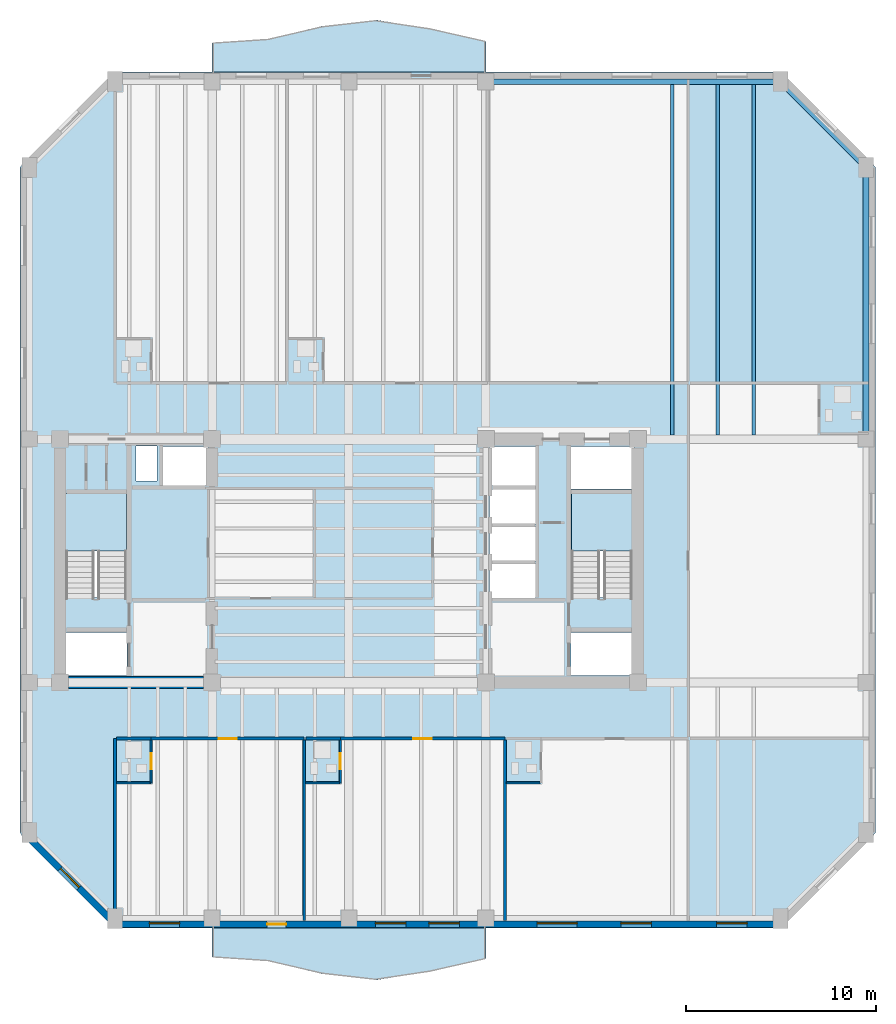
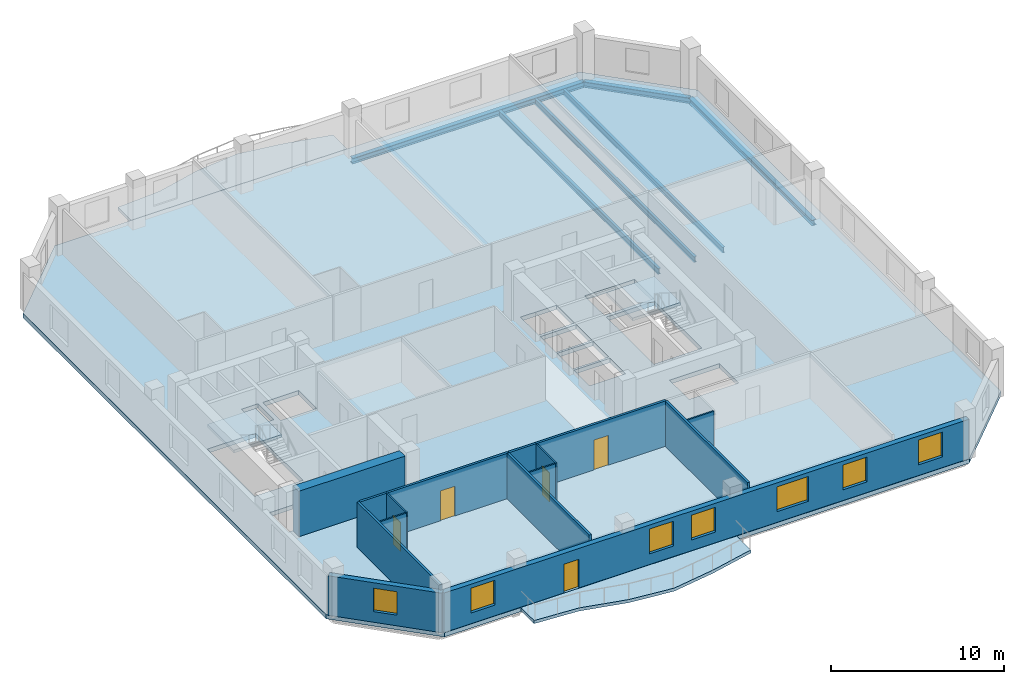
# One storey, part 2 of 9: 15 walls, 7 windows, 6 beams, 5 doors, 5 slabs, 12 openings, 2 elements without a shape of their own.
"""IFC4 building model written with IfcOpenShell, lengths in metres."""

from ifc_helpers import new_model, si_unit, direction, frame, frame_2d, origin, origin_2d, place, context, subcontext, project, spatial, polyline, rectangle, i_section, outline, extrude, material, layer, layer_set, material_profile, profile_set, type_object, element, fill, aggregate, save


model = new_model("IFC4")

# Units and contexts
model_context = context("Model", 3, precision=1e-05, world=origin(), true_north=direction((0.0, 1.0)))
body_context = subcontext(model_context, "Body", "Model", "MODEL_VIEW")
ifc_project = project(units=[si_unit("LENGTHUNIT", "METRE"), si_unit("AREAUNIT", "SQUARE_METRE"), si_unit("VOLUMEUNIT", "CUBIC_METRE"), si_unit("PLANEANGLEUNIT", "RADIAN"), si_unit("MASSUNIT", "GRAM", prefix="KILO")], contexts=[model_context])

# Site, building, storey
site_placement = place(None, origin())
site = spatial("IfcSite", under=ifc_project, at=site_placement, CompositionType="ELEMENT")
building_placement = place(site_placement, origin())
building = spatial("IfcBuilding", under=site, at=building_placement, Name="Kranthara Brick Stack", CompositionType="ELEMENT")
storey_placement = place(building_placement, frame((0.0, 0.0, 165.800048828125)))
storey = spatial("IfcBuildingStorey", under=building, at=storey_placement, Name="L42", CompositionType="ELEMENT", Elevation=165.800048828125)

# Beams
ifc_material_1 = material(Name="Steel S355", Category="steel")
ifc_material_profile_1 = material_profile(ifc_material_1, i_section(OverallWidth=0.179931640625, OverallDepth=0.39990234375, WebThickness=0.008544921875, FlangeThickness=0.013427734375, at=origin_2d()), Name="IPE 400")
ifc_profile_set_1 = profile_set([ifc_material_profile_1], Name="Steel S355")
beam_type_1 = type_object("IfcBeamType", Name="BM-JST-IPE400", PredefinedType="JOIST", material=ifc_profile_set_1)
for number, where, z_axis, x_axis, name in (
    (1, (45.0, 33.824951171875, -0.5), (0.0, 1.0, 0.0), (-1.0, 0.0, 0.0), "L42 North Wing Floor Joist 071"),
    (2, (47.39990234375, 33.824951171875, -0.5), (0.0, 1.0, 0.0), (-1.0, 0.0, 0.0), "L42 North Wing Floor Joist 073"),
    (3, (49.300048828125, 33.824951171875, -0.5), (0.0, 1.0, 0.0), (-1.0, 0.0, 0.0), "L42 North Wing Floor Joist 075"),
):
    element("IfcBeam", number, at=place(storey_placement, frame(where, z_axis=z_axis, x_axis=x_axis)), inside=storey, type_object=beam_type_1, Name=name, PredefinedType="JOIST", context=body_context, shape_type="SweptSolid", body=[
        extrude(i_section(OverallWidth=0.179931640625, OverallDepth=0.39990234375, WebThickness=0.008544921875, FlangeThickness=0.013427734375, at=origin_2d()), origin(), (0.0, 0.0, 1.0), 18.425048828125),
    ])
ifc_material_2 = material(Name="Steel S355", Category="steel")
ifc_material_profile_2 = material_profile(ifc_material_2, i_section(OverallWidth=0.300048828125, OverallDepth=0.39990234375, WebThickness=0.013427734375, FlangeThickness=0.02392578125, at=origin_2d()), Name="HEB 400")
ifc_profile_set_2 = profile_set([ifc_material_profile_2], Name="Steel S355")
beam_type_2 = type_object("IfcBeamType", Name="BM-STL-HEB400", PredefinedType="SPANDREL", material=ifc_profile_set_2)
beam_1_placement = place(storey_placement, frame((35.199951171875, 52.39990234375, -0.5), z_axis=(1.0, 0.0, 0.0), x_axis=(0.0, 1.0, 0.0)))
element("IfcBeam", 4, at=beam_1_placement, inside=storey, type_object=beam_type_2, Name="L42 Perimeter Spandrel Beam 012", PredefinedType="SPANDREL", context=body_context, shape_type="SweptSolid", body=[
    extrude(i_section(OverallWidth=0.300048828125, OverallDepth=0.39990234375, WebThickness=0.013427734375, FlangeThickness=0.02392578125, at=origin_2d()), origin(), (0.0, 0.0, 1.0), 15.5),
])
beam_2_placement = place(storey_placement, frame((55.199951171875, 33.60009765625, -0.5), z_axis=(0.0, 1.0, 0.0), x_axis=(-1.0, 0.0, 0.0)))
element("IfcBeam", 5, at=beam_2_placement, inside=storey, type_object=beam_type_2, Name="L42 Perimeter Spandrel Beam 018", PredefinedType="SPANDREL", context=body_context, shape_type="SweptSolid", body=[
    extrude(i_section(OverallWidth=0.300048828125, OverallDepth=0.39990234375, WebThickness=0.013427734375, FlangeThickness=0.02392578125, at=origin_2d()), origin(), (0.0, 0.0, 1.0), 14.2998046875),
])
beam_3_placement = place(storey_placement, frame((50.699951171875, 52.39990234375, -0.5), z_axis=(0.707106781187, -0.707106781187, 0.0), x_axis=(0.707106781187, 0.707106781187, 0.0)))
element("IfcBeam", 6, at=beam_3_placement, inside=storey, type_object=beam_type_2, Name="L42 Chamfer Corner Spandrel 022", PredefinedType="SPANDREL", context=body_context, shape_type="SweptSolid", body=[
    extrude(i_section(OverallWidth=0.300048828125, OverallDepth=0.39990234375, WebThickness=0.013427734375, FlangeThickness=0.02392578125, at=origin_2d()), origin(), (0.0, 0.0, 1.0), 6.364013671875),
])

# Slabs
ifc_material_3 = material(Name="Concrete C45/55", Category="concrete")
ifc_layer_1 = layer(ifc_material_3, 0.219970703125)
ifc_layer_set_1 = layer_set([ifc_layer_1], Name="Concrete C45/55")
slab_type_1 = type_object("IfcSlabType", Name="SLB-BALC-220", PredefinedType="FLOOR", material=ifc_layer_set_1)
slab_1_placement = place(storey_placement, frame((0.0, 0.0, -0.219970703125)))
element("IfcSlab", 7, at=slab_1_placement, inside=storey, type_object=slab_type_1, Name="L42 South Rippling Balcony Slab", PredefinedType="FLOOR", context=body_context, shape_type="SweptSolid", body=[
    extrude(outline(polyline([(20.800048828125, 7.89990234375), (35.199951171875, 7.89990234375), (35.199951171875, 6.2744140625), (32.320068359375, 5.611572265625), (29.43994140625, 5.154296875), (26.56005859375, 5.4775390625), (23.679931640625, 6.175048828125), (20.800048828125, 6.369384765625), (20.800048828125, 7.89990234375)])), origin(), (0.0, 0.0, 1.0), 0.219970703125),
])
slab_2_placement = place(storey_placement, frame((0.0, 0.0, -0.219970703125)))
element("IfcSlab", 8, at=slab_2_placement, inside=storey, type_object=slab_type_1, Name="L42 North Rippling Balcony Slab", PredefinedType="FLOOR", context=body_context, shape_type="SweptSolid", body=[
    extrude(outline(polyline([(35.199951171875, 52.89990234375), (20.800048828125, 52.89990234375), (20.800048828125, 54.4306640625), (23.679931640625, 54.625), (26.56005859375, 55.322509765625), (29.43994140625, 55.645751953125), (32.320068359375, 55.1884765625), (35.199951171875, 54.525390625), (35.199951171875, 52.89990234375)])), origin(), (0.0, 0.0, 1.0), 0.219970703125),
])

# Stair, slab
ifc_material_4 = material(Name="Concrete C45/55", Category="concrete")
stair_type = type_object("IfcStairType", Name="ST-CORE-20R", PredefinedType="HALF_TURN_STAIR", material=ifc_material_4)
stair_1_placement = place(storey_placement, origin())
stair_1 = element("IfcStair", 9, at=stair_1_placement, inside=storey, type_object=stair_type, Name="L42 West Core Protected Exit Stair ST01", PredefinedType="HALF_TURN_STAIR")
ifc_material_5 = material(Name="Concrete C45/55", Category="concrete")
ifc_layer_2 = layer(ifc_material_5, 0.199951171875)
ifc_layer_set_2 = layer_set([ifc_layer_2], Name="Concrete C45/55")
slab_type_2 = type_object("IfcSlabType", Name="SLB-LANDING-200", PredefinedType="LANDING", material=ifc_layer_set_2)
slab_3_placement = place(storey_placement, frame((0.0, 0.0, 1.550048828125)))
slab_3 = element("IfcSlab", 10, at=slab_3_placement, type_object=slab_type_2, Name="ST01 landing 1", PredefinedType="LANDING", context=body_context, shape_type="SweptSolid", body=[
    extrude(outline(polyline([(16.300048828125, 27.719970703125), (16.300048828125, 30.75), (13.10009765625, 30.75), (13.10009765625, 27.719970703125), (16.300048828125, 27.719970703125)])), origin(), (0.0, 0.0, 1.0), 0.199951171875),
])
aggregate(stair_1, [slab_3])

stair_2_placement = place(storey_placement, origin())
stair_2 = element("IfcStair", 11, at=stair_2_placement, inside=storey, type_object=stair_type, Name="L42 East Core Protected Exit Stair ST02", PredefinedType="HALF_TURN_STAIR")
slab_4_placement = place(storey_placement, frame((0.0, 0.0, 1.550048828125)))
slab_4 = element("IfcSlab", 12, at=slab_4_placement, type_object=slab_type_2, Name="ST02 landing 1", PredefinedType="LANDING", context=body_context, shape_type="SweptSolid", body=[
    extrude(outline(polyline([(42.89990234375, 27.719970703125), (42.89990234375, 30.75), (39.699951171875, 30.75), (39.699951171875, 27.719970703125), (42.89990234375, 27.719970703125)])), origin(), (0.0, 0.0, 1.0), 0.199951171875),
])
aggregate(stair_2, [slab_4])

# Slab
ifc_material_6 = material(Name="Post-tensioned concrete C45/55", Category="concrete")
ifc_layer_3 = layer(ifc_material_6, 0.300048828125)
ifc_layer_set_3 = layer_set([ifc_layer_3], Name="Post-tensioned concrete C45/55")
slab_type_3 = type_object("IfcSlabType", Name="SLB-TWR-300", PredefinedType="FLOOR", material=ifc_layer_set_3)
slab_5_placement = place(storey_placement, frame((0.0, 0.0, -0.300048828125)))
element("IfcSlab", 13, at=slab_5_placement, inside=storey, type_object=slab_type_3, Name="L42 Structural Floor Plate", PredefinedType="FLOOR", context=body_context, shape_type="SweptSolid", body=[
    extrude(outline(polyline([(15.699951171875, 7.89990234375), (50.699951171875, 7.89990234375), (55.699951171875, 12.89990234375), (55.699951171875, 47.89990234375), (50.699951171875, 52.89990234375), (15.699951171875, 52.89990234375), (10.699951171875, 47.89990234375), (10.699951171875, 12.89990234375), (15.699951171875, 7.89990234375)]), holes=[polyline([(13.10009765625, 25.280029296875), (16.300048828125, 25.280029296875), (16.300048828125, 30.75), (13.10009765625, 30.75), (13.10009765625, 25.280029296875)]), polyline([(39.699951171875, 25.280029296875), (42.89990234375, 25.280029296875), (42.89990234375, 30.75), (39.699951171875, 30.75), (39.699951171875, 25.280029296875)]), polyline([(13.0, 21.179931640625), (16.320068359375, 21.179931640625), (16.320068359375, 23.419921875), (13.0, 23.419921875), (13.0, 21.179931640625)]), polyline([(39.679931640625, 21.179931640625), (43.0, 21.179931640625), (43.0, 23.419921875), (39.679931640625, 23.419921875), (39.679931640625, 21.179931640625)]), polyline([(39.679931640625, 30.97998046875), (43.0, 30.97998046875), (43.0, 33.219970703125), (39.679931640625, 33.219970703125), (39.679931640625, 30.97998046875)]), polyline([(35.39990234375, 25.25), (37.800048828125, 25.25), (37.800048828125, 27.050048828125), (35.39990234375, 27.050048828125), (35.39990234375, 25.25)]), polyline([(35.39990234375, 27.199951171875), (37.800048828125, 27.199951171875), (37.800048828125, 29.0), (35.39990234375, 29.0), (35.39990234375, 27.199951171875)]), polyline([(35.39990234375, 29.14990234375), (37.800048828125, 29.14990234375), (37.800048828125, 30.949951171875), (35.39990234375, 30.949951171875), (35.39990234375, 29.14990234375)]), polyline([(18.199951171875, 31.14990234375), (20.60009765625, 31.14990234375), (20.60009765625, 33.219970703125), (18.199951171875, 33.219970703125), (18.199951171875, 31.14990234375)]), polyline([(35.39990234375, 31.14990234375), (37.800048828125, 31.14990234375), (37.800048828125, 33.219970703125), (35.39990234375, 33.219970703125), (35.39990234375, 31.14990234375)]), polyline([(16.800048828125, 31.39990234375), (17.89990234375, 31.39990234375), (17.89990234375, 33.25), (16.800048828125, 33.25), (16.800048828125, 31.39990234375)])]), origin(), (0.0, 0.0, 1.0), 0.300048828125),
])

# Wall, openings, door, windows
ifc_material_7 = material(Name="Kiln-fired clay brick masonry M15", Category="masonry")
ifc_layer_4 = layer(ifc_material_7, 0.35009765625)
ifc_layer_set_4 = layer_set([ifc_layer_4], Name="Kiln-fired clay brick masonry M15")
wall_type_1 = type_object("IfcWallType", Name="WL-BRK-SPND-350", PredefinedType="STANDARD", material=ifc_layer_set_4)
wall_1_placement = place(storey_placement, frame((50.699951171875, 8.094970703125, 0.0), z_axis=(0.0, 0.0, 1.0), x_axis=(-1.0, 0.0, 0.0)))
wall_1 = element("IfcWall", 14, at=wall_1_placement, inside=storey, type_object=wall_type_1, Name="L42 Exterior Brick Facade Wall SOUTH 1", PredefinedType="STANDARD", context=body_context, shape_type="SweptSolid", body=[
    extrude(rectangle(XDim=35.0, YDim=0.35009765625, at=frame_2d((17.5, 0.0))), origin(), (0.0, 0.0, 1.0), 2.784912109375),
])
opening_1_placement = place(wall_1_placement, frame((26.0, 0.0, 0.0)))
opening_1 = element("IfcOpeningElement", 15, at=opening_1_placement, cuts=wall_1, Name="Opening D03", PredefinedType="OPENING", context=body_context, shape_type="SweptSolid", body=[
    extrude(rectangle(XDim=1.0, YDim=2.02001953125, at=frame_2d((0.5, 1.010009765625))), frame((0.0, 0.18505859375, 0.0), z_axis=(0.0, -1.0, 0.0), x_axis=(1.0, 0.0, 0.0)), (0.0, 0.0, 1.0), 0.3701171875),
])
opening_2_placement = place(wall_1_placement, frame((1.762939453125, 0.0, 0.75)))
opening_2 = element("IfcOpeningElement", 16, at=opening_2_placement, cuts=wall_1, Name="Opening WN04", PredefinedType="OPENING", context=body_context, shape_type="SweptSolid", body=[
    extrude(rectangle(XDim=1.60009765625, YDim=1.75, at=frame_2d((0.800048828125, 0.875))), frame((0.0, 0.18505859375, 0.0), z_axis=(0.0, -1.0, 0.0), x_axis=(1.0, 0.0, 0.0)), (0.0, 0.0, 1.0), 0.3701171875),
])
opening_3_placement = place(wall_1_placement, frame((6.798095703125, 0.0, 0.75)))
opening_3 = element("IfcOpeningElement", 17, at=opening_3_placement, cuts=wall_1, Name="Opening WN04", PredefinedType="OPENING", context=body_context, shape_type="SweptSolid", body=[
    extrude(rectangle(XDim=1.60009765625, YDim=1.75, at=frame_2d((0.800048828125, 0.875))), frame((0.0, 0.18505859375, 0.0), z_axis=(0.0, -1.0, 0.0), x_axis=(1.0, 0.0, 0.0)), (0.0, 0.0, 1.0), 0.3701171875),
])
opening_4_placement = place(wall_1_placement, frame((10.699951171875, 0.0, 0.75)))
opening_4 = element("IfcOpeningElement", 18, at=opening_4_placement, cuts=wall_1, Name="Opening WN05", PredefinedType="OPENING", context=body_context, shape_type="SweptSolid", body=[
    extrude(rectangle(XDim=2.10009765625, YDim=1.75, at=frame_2d((1.050048828125, 0.875))), frame((0.0, 0.18505859375, 0.0), z_axis=(0.0, -1.0, 0.0), x_axis=(1.0, 0.0, 0.0)), (0.0, 0.0, 1.0), 0.3701171875),
])
opening_5_placement = place(wall_1_placement, frame((16.89599609375, 0.0, 0.75)))
opening_5 = element("IfcOpeningElement", 19, at=opening_5_placement, cuts=wall_1, Name="Opening WN04", PredefinedType="OPENING", context=body_context, shape_type="SweptSolid", body=[
    extrude(rectangle(XDim=1.60009765625, YDim=1.75, at=frame_2d((0.800048828125, 0.875))), frame((0.0, 0.18505859375, 0.0), z_axis=(0.0, -1.0, 0.0), x_axis=(1.0, 0.0, 0.0)), (0.0, 0.0, 1.0), 0.3701171875),
])
opening_6_placement = place(wall_1_placement, frame((19.7041015625, 0.0, 0.75)))
opening_6 = element("IfcOpeningElement", 20, at=opening_6_placement, cuts=wall_1, Name="Opening WN04", PredefinedType="OPENING", context=body_context, shape_type="SweptSolid", body=[
    extrude(rectangle(XDim=1.60009765625, YDim=1.75, at=frame_2d((0.800048828125, 0.875))), frame((0.0, 0.18505859375, 0.0), z_axis=(0.0, -1.0, 0.0), x_axis=(1.0, 0.0, 0.0)), (0.0, 0.0, 1.0), 0.3701171875),
])
opening_7_placement = place(wall_1_placement, frame((31.60009765625, 0.0, 0.75)))
opening_7 = element("IfcOpeningElement", 21, at=opening_7_placement, cuts=wall_1, Name="Opening WN04", PredefinedType="OPENING", context=body_context, shape_type="SweptSolid", body=[
    extrude(rectangle(XDim=1.60009765625, YDim=1.75, at=frame_2d((0.800048828125, 0.875))), frame((0.0, 0.18505859375, 0.0), z_axis=(0.0, -1.0, 0.0), x_axis=(1.0, 0.0, 0.0)), (0.0, 0.0, 1.0), 0.3701171875),
])
ifc_material_8 = material(Name="Bronze anodised aluminium and laminated glass", Category="aluminium")
door_type_1 = type_object("IfcDoorType", Name="DR-BALC-1000", OperationType="NOTDEFINED", PredefinedType="DOOR", material=ifc_material_8)
door_1_placement = place(opening_1_placement, origin())
door_1 = element("IfcDoor", 22, at=door_1_placement, inside=storey, type_object=door_type_1, Name="L42 South Balcony Terrace Door", OperationType="SINGLE_SWING_LEFT", OverallHeight=2.02001953125, OverallWidth=1.0, PredefinedType="DOOR", context=body_context, shape_type="SweptSolid", body=[
    extrude(rectangle(XDim=1.0, YDim=2.02001953125, at=frame_2d((0.5, 1.010009765625))), frame((0.0, 0.02490234375, 0.0), z_axis=(0.0, -1.0, 0.0), x_axis=(1.0, 0.0, 0.0)), (0.0, 0.0, 1.0), 0.050048828125),
])
fill(opening_1, door_1)
ifc_material_9 = material(Name="Double-glazed low-E solar control glass", Category="glass")
window_type_1 = type_object("IfcWindowType", Name="WN-HTL-1600x1850", PartitioningType="DOUBLE_PANEL_VERTICAL", PredefinedType="WINDOW", material=ifc_material_9)
window_1_placement = place(opening_2_placement, origin())
window_1 = element("IfcWindow", 23, at=window_1_placement, inside=storey, type_object=window_type_1, Name="L42 South Deep-Set Brick Window 01", OverallHeight=1.75, OverallWidth=1.60009765625, PartitioningType="SINGLE_PANEL", PredefinedType="WINDOW", context=body_context, shape_type="SweptSolid", body=[
    extrude(rectangle(XDim=1.60009765625, YDim=1.75, at=frame_2d((0.800048828125, 0.875))), frame((0.0, -0.010009765625, 0.0), z_axis=(0.0, -1.0, 0.0), x_axis=(1.0, 0.0, 0.0)), (0.0, 0.0, 1.0), 0.06005859375),
])
fill(opening_2, window_1)
window_2_placement = place(opening_3_placement, origin())
window_2 = element("IfcWindow", 24, at=window_2_placement, inside=storey, type_object=window_type_1, Name="L42 South Deep-Set Brick Window 02", OverallHeight=1.75, OverallWidth=1.60009765625, PartitioningType="SINGLE_PANEL", PredefinedType="WINDOW", context=body_context, shape_type="SweptSolid", body=[
    extrude(rectangle(XDim=1.60009765625, YDim=1.75, at=frame_2d((0.800048828125, 0.875))), frame((0.0, -0.010009765625, 0.0), z_axis=(0.0, -1.0, 0.0), x_axis=(1.0, 0.0, 0.0)), (0.0, 0.0, 1.0), 0.06005859375),
])
fill(opening_3, window_2)
window_3_placement = place(opening_5_placement, origin())
window_3 = element("IfcWindow", 25, at=window_3_placement, inside=storey, type_object=window_type_1, Name="L42 South Deep-Set Brick Window 04", OverallHeight=1.75, OverallWidth=1.60009765625, PartitioningType="SINGLE_PANEL", PredefinedType="WINDOW", context=body_context, shape_type="SweptSolid", body=[
    extrude(rectangle(XDim=1.60009765625, YDim=1.75, at=frame_2d((0.800048828125, 0.875))), frame((0.0, -0.010009765625, 0.0), z_axis=(0.0, -1.0, 0.0), x_axis=(1.0, 0.0, 0.0)), (0.0, 0.0, 1.0), 0.06005859375),
])
fill(opening_5, window_3)
window_4_placement = place(opening_6_placement, origin())
window_4 = element("IfcWindow", 26, at=window_4_placement, inside=storey, type_object=window_type_1, Name="L42 South Deep-Set Brick Window 05", OverallHeight=1.75, OverallWidth=1.60009765625, PartitioningType="SINGLE_PANEL", PredefinedType="WINDOW", context=body_context, shape_type="SweptSolid", body=[
    extrude(rectangle(XDim=1.60009765625, YDim=1.75, at=frame_2d((0.800048828125, 0.875))), frame((0.0, -0.010009765625, 0.0), z_axis=(0.0, -1.0, 0.0), x_axis=(1.0, 0.0, 0.0)), (0.0, 0.0, 1.0), 0.06005859375),
])
fill(opening_6, window_4)
window_5_placement = place(opening_7_placement, origin())
window_5 = element("IfcWindow", 27, at=window_5_placement, inside=storey, type_object=window_type_1, Name="L42 South Deep-Set Brick Window 06", OverallHeight=1.75, OverallWidth=1.60009765625, PartitioningType="SINGLE_PANEL", PredefinedType="WINDOW", context=body_context, shape_type="SweptSolid", body=[
    extrude(rectangle(XDim=1.60009765625, YDim=1.75, at=frame_2d((0.800048828125, 0.875))), frame((0.0, -0.010009765625, 0.0), z_axis=(0.0, -1.0, 0.0), x_axis=(1.0, 0.0, 0.0)), (0.0, 0.0, 1.0), 0.06005859375),
])
fill(opening_7, window_5)
ifc_material_10 = material(Name="Double-glazed low-E solar control glass", Category="glass")
window_type_2 = type_object("IfcWindowType", Name="WN-HTL-2100x1850", PartitioningType="DOUBLE_PANEL_VERTICAL", PredefinedType="WINDOW", material=ifc_material_10)
window_6_placement = place(opening_4_placement, origin())
window_6 = element("IfcWindow", 28, at=window_6_placement, inside=storey, type_object=window_type_2, Name="L42 South Deep-Set Brick Window 03", OverallHeight=1.75, OverallWidth=2.10009765625, PartitioningType="SINGLE_PANEL", PredefinedType="WINDOW", context=body_context, shape_type="SweptSolid", body=[
    extrude(rectangle(XDim=2.10009765625, YDim=1.75, at=frame_2d((1.050048828125, 0.875))), frame((0.0, -0.010009765625, 0.0), z_axis=(0.0, -1.0, 0.0), x_axis=(1.0, 0.0, 0.0)), (0.0, 0.0, 1.0), 0.06005859375),
])
fill(opening_4, window_6)

# Wall, opening, window
wall_2_placement = place(storey_placement, frame((15.699951171875, 8.094970703125, 0.0), z_axis=(0.0, 0.0, 1.0), x_axis=(-0.707106781187, 0.707106781187, 0.0)))
wall_2 = element("IfcWall", 29, at=wall_2_placement, inside=storey, type_object=wall_type_1, Name="L42 Exterior Brick Facade Wall SW 1", PredefinedType="STANDARD", context=body_context, shape_type="SweptSolid", body=[
    extrude(rectangle(XDim=6.795166015625, YDim=0.35009765625, at=frame_2d((3.3974609375, 0.0))), origin(), (0.0, 0.0, 1.0), 2.784912109375),
])
opening_8_placement = place(wall_2_placement, frame((2.697998046875, 0.0, 0.75)))
opening_8 = element("IfcOpeningElement", 30, at=opening_8_placement, cuts=wall_2, Name="Opening WN10", PredefinedType="OPENING", context=body_context, shape_type="SweptSolid", body=[
    extrude(rectangle(XDim=1.39990234375, YDim=1.64990234375, at=frame_2d((0.699951171875, 0.824951171875))), frame((0.0, 0.18505859375, 0.0), z_axis=(0.0, -1.0, 0.0), x_axis=(1.0, 0.0, 0.0)), (0.0, 0.0, 1.0), 0.3701171875),
])
ifc_material_11 = material(Name="Double-glazed low-E solar control glass", Category="glass")
window_type_3 = type_object("IfcWindowType", Name="WN-CHM-1400x1750", PartitioningType="SINGLE_PANEL", PredefinedType="WINDOW", material=ifc_material_11)
window_7_placement = place(opening_8_placement, origin())
window_7 = element("IfcWindow", 31, at=window_7_placement, inside=storey, type_object=window_type_3, Name="L42 SW Chamfer Corner Window", OverallHeight=1.64990234375, OverallWidth=1.39990234375, PartitioningType="SINGLE_PANEL", PredefinedType="WINDOW", context=body_context, shape_type="SweptSolid", body=[
    extrude(rectangle(XDim=1.39990234375, YDim=1.64990234375, at=frame_2d((0.699951171875, 0.824951171875))), frame((0.0, -0.010009765625, 0.0), z_axis=(0.0, -1.0, 0.0), x_axis=(1.0, 0.0, 0.0)), (0.0, 0.0, 1.0), 0.06005859375),
])
fill(opening_8, window_7)

# Wall
ifc_material_12 = material(Name="Concrete C60/75", Category="concrete")
ifc_layer_5 = layer(ifc_material_12, 0.64990234375)
ifc_layer_set_5 = layer_set([ifc_layer_5], Name="Concrete C60/75")
wall_type_2 = type_object("IfcWallType", Name="WL-CORE-650", PredefinedType="SHEAR", material=ifc_layer_set_5)
wall_3_placement = place(storey_placement, frame((13.2548828125, 20.800048828125, 0.0), z_axis=(0.0, 0.0, 1.0), x_axis=(1.0, 0.0, 0.0)))
element("IfcWall", 32, at=wall_3_placement, inside=storey, type_object=wall_type_2, Name="L42 West Core Shear Wall South", PredefinedType="SHEAR", context=body_context, shape_type="SweptSolid", body=[
    extrude(rectangle(XDim=7.090087890625, YDim=0.64990234375, at=frame_2d((3.544921875, 0.0))), origin(), (0.0, 0.0, 1.0), 3.199951171875),
])

# Wall, opening, door
ifc_material_13 = material(Name="Moisture-resistant wet-room partition", Category="other")
ifc_layer_6 = layer(ifc_material_13, 0.10009765625)
ifc_layer_set_6 = layer_set([ifc_layer_6], Name="Moisture-resistant wet-room partition")
wall_type_3 = type_object("IfcWallType", Name="WL-PART-100", PredefinedType="PARTITIONING", material=ifc_layer_set_6)
wall_4_placement = place(storey_placement, frame((17.60009765625, 15.52001953125, 0.0), z_axis=(0.0, 0.0, 1.0), x_axis=(0.0, 1.0, 0.0)))
wall_4 = element("IfcWall", 33, at=wall_4_placement, inside=storey, type_object=wall_type_3, Name="L42 Interior Partition 012", PredefinedType="PARTITIONING", context=body_context, shape_type="SweptSolid", body=[
    extrude(rectangle(XDim=2.25, YDim=0.10009765625, at=frame_2d((1.125, 0.0))), origin(), (0.0, 0.0, 1.0), 3.199951171875),
])
opening_9_placement = place(wall_4_placement, frame((0.719970703125, 0.0, 0.0)))
opening_9 = element("IfcOpeningElement", 34, at=opening_9_placement, cuts=wall_4, Name="Opening D17", PredefinedType="OPENING", context=body_context, shape_type="SweptSolid", body=[
    extrude(rectangle(XDim=0.85009765625, YDim=2.050048828125, at=frame_2d((0.425048828125, 1.02490234375))), frame((0.0, 0.06005859375, 0.0), z_axis=(0.0, -1.0, 0.0), x_axis=(1.0, 0.0, 0.0)), (0.0, 0.0, 1.0), 0.1201171875),
])
ifc_material_14 = material(Name="Solid-core hardwood timber leaf in steel frame", Category="steel")
door_type_2 = type_object("IfcDoorType", Name="DR-WET-850", OperationType="NOTDEFINED", PredefinedType="DOOR", material=ifc_material_14)
door_2_placement = place(opening_9_placement, origin())
door_2 = element("IfcDoor", 35, at=door_2_placement, inside=storey, type_object=door_type_2, Name="L42 Key 01 En-Suite Door 07", OperationType="SINGLE_SWING_LEFT", OverallHeight=2.050048828125, OverallWidth=0.85009765625, PredefinedType="DOOR", context=body_context, shape_type="SweptSolid", body=[
    extrude(rectangle(XDim=0.85009765625, YDim=2.050048828125, at=frame_2d((0.425048828125, 1.02490234375))), frame((0.0, 0.02490234375, 0.0), z_axis=(0.0, -1.0, 0.0), x_axis=(1.0, 0.0, 0.0)), (0.0, 0.0, 1.0), 0.050048828125),
])
fill(opening_9, door_2)

# Wall
wall_5_placement = place(storey_placement, frame((15.780029296875, 15.52001953125, 0.0), z_axis=(0.0, 0.0, 1.0), x_axis=(1.0, 0.0, 0.0)))
element("IfcWall", 36, at=wall_5_placement, inside=storey, type_object=wall_type_3, Name="L42 Interior Partition 013", PredefinedType="PARTITIONING", context=body_context, shape_type="SweptSolid", body=[
    extrude(rectangle(XDim=1.764892578125, YDim=0.10009765625, at=frame_2d((0.88232421875, 0.0))), origin(), (0.0, 0.0, 1.0), 3.199951171875),
])

# Wall, opening, door
wall_6_placement = place(storey_placement, frame((27.549072265625, 15.52001953125, 0.0), z_axis=(0.0, 0.0, 1.0), x_axis=(0.0, 1.0, 0.0)))
wall_6 = element("IfcWall", 37, at=wall_6_placement, inside=storey, type_object=wall_type_3, Name="L42 Interior Partition 017", PredefinedType="PARTITIONING", context=body_context, shape_type="SweptSolid", body=[
    extrude(rectangle(XDim=2.25, YDim=0.10009765625, at=frame_2d((1.125, 0.0))), origin(), (0.0, 0.0, 1.0), 3.199951171875),
])
opening_10_placement = place(wall_6_placement, frame((0.719970703125, 0.0, 0.0)))
opening_10 = element("IfcOpeningElement", 38, at=opening_10_placement, cuts=wall_6, Name="Opening D17", PredefinedType="OPENING", context=body_context, shape_type="SweptSolid", body=[
    extrude(rectangle(XDim=0.85009765625, YDim=2.050048828125, at=frame_2d((0.425048828125, 1.02490234375))), frame((0.0, 0.06005859375, 0.0), z_axis=(0.0, -1.0, 0.0), x_axis=(1.0, 0.0, 0.0)), (0.0, 0.0, 1.0), 0.1201171875),
])
door_3_placement = place(opening_10_placement, origin())
door_3 = element("IfcDoor", 39, at=door_3_placement, inside=storey, type_object=door_type_2, Name="L42 Key 02 En-Suite Door 09", OperationType="SINGLE_SWING_LEFT", OverallHeight=2.050048828125, OverallWidth=0.85009765625, PredefinedType="DOOR", context=body_context, shape_type="SweptSolid", body=[
    extrude(rectangle(XDim=0.85009765625, YDim=2.050048828125, at=frame_2d((0.425048828125, 1.02490234375))), frame((0.0, 0.02490234375, 0.0), z_axis=(0.0, -1.0, 0.0), x_axis=(1.0, 0.0, 0.0)), (0.0, 0.0, 1.0), 0.050048828125),
])
fill(opening_10, door_3)

# Walls
wall_7_placement = place(storey_placement, frame((25.72900390625, 15.52001953125, 0.0), z_axis=(0.0, 0.0, 1.0), x_axis=(1.0, 0.0, 0.0)))
element("IfcWall", 40, at=wall_7_placement, inside=storey, type_object=wall_type_3, Name="L42 Interior Partition 018", PredefinedType="PARTITIONING", context=body_context, shape_type="SweptSolid", body=[
    extrude(rectangle(XDim=1.764892578125, YDim=0.10009765625, at=frame_2d((0.88232421875, 0.0))), origin(), (0.0, 0.0, 1.0), 3.199951171875),
])
wall_8_placement = place(storey_placement, frame((36.281982421875, 15.52001953125, 0.0), z_axis=(0.0, 0.0, 1.0), x_axis=(1.0, 0.0, 0.0)))
element("IfcWall", 41, at=wall_8_placement, inside=storey, type_object=wall_type_3, Name="L42 Interior Partition 023", PredefinedType="PARTITIONING", context=body_context, shape_type="SweptSolid", body=[
    extrude(rectangle(XDim=1.76513671875, YDim=0.10009765625, at=frame_2d((0.882568359375, 0.0))), origin(), (0.0, 0.0, 1.0), 3.199951171875),
])
ifc_material_15 = material(Name="Fire-rated gypsum board partition", Category="other")
ifc_layer_7 = layer(ifc_material_15, 0.14990234375)
ifc_layer_set_7 = layer_set([ifc_layer_7], Name="Fire-rated gypsum board partition")
wall_type_4 = type_object("IfcWallType", Name="WL-PART-150", PredefinedType="PARTITIONING", material=ifc_layer_set_7)
wall_9_placement = place(storey_placement, frame((15.699951171875, 8.27490234375, 0.0), z_axis=(0.0, 0.0, 1.0), x_axis=(0.0, 1.0, 0.0)))
element("IfcWall", 42, at=wall_9_placement, inside=storey, type_object=wall_type_4, Name="L42 Interior Partition 009", PredefinedType="PARTITIONING", context=body_context, shape_type="SweptSolid", body=[
    extrude(rectangle(XDim=9.5751953125, YDim=0.14990234375, at=frame_2d((4.78759765625, 0.0))), origin(), (0.0, 0.0, 1.0), 3.199951171875),
])
wall_10_placement = place(storey_placement, frame((15.780029296875, 17.85009765625, 0.0), z_axis=(0.0, 0.0, 1.0), x_axis=(1.0, 0.0, 0.0)))
element("IfcWall", 43, at=wall_10_placement, inside=storey, type_object=wall_type_4, Name="L42 Interior Partition 010", PredefinedType="PARTITIONING", context=body_context, shape_type="SweptSolid", body=[
    extrude(rectangle(XDim=1.820068359375, YDim=0.14990234375, at=frame_2d((0.91015625, 0.0))), origin(), (0.0, 0.0, 1.0), 3.199951171875),
])

# Wall, opening, door
wall_11_placement = place(storey_placement, frame((17.60009765625, 17.85009765625, 0.0), z_axis=(0.0, 0.0, 1.0), x_axis=(1.0, 0.0, 0.0)))
wall_11 = element("IfcWall", 44, at=wall_11_placement, inside=storey, type_object=wall_type_4, Name="L42 Interior Partition 011", PredefinedType="PARTITIONING", context=body_context, shape_type="SweptSolid", body=[
    extrude(rectangle(XDim=8.048828125, YDim=0.14990234375, at=frame_2d((4.0244140625, 0.0))), origin(), (0.0, 0.0, 1.0), 3.199951171875),
])
opening_11_placement = place(wall_11_placement, frame((3.544921875, 0.0, 0.0)))
opening_11 = element("IfcOpeningElement", 45, at=opening_11_placement, cuts=wall_11, Name="Opening D09", PredefinedType="OPENING", context=body_context, shape_type="SweptSolid", body=[
    extrude(rectangle(XDim=0.949951171875, YDim=2.10009765625, at=frame_2d((0.47509765625, 1.050048828125))), frame((0.0, 0.0849609375, 0.0), z_axis=(0.0, -1.0, 0.0), x_axis=(1.0, 0.0, 0.0)), (0.0, 0.0, 1.0), 0.169921875),
])
ifc_material_16 = material(Name="Solid-core hardwood timber leaf in steel frame", Category="steel")
door_type_3 = type_object("IfcDoorType", Name="DR-FD-950", OperationType="NOTDEFINED", PredefinedType="DOOR", material=ifc_material_16)
door_4_placement = place(opening_11_placement, origin())
door_4 = element("IfcDoor", 46, at=door_4_placement, inside=storey, type_object=door_type_3, Name="L42 Key 01 Entry 08", OperationType="SINGLE_SWING_RIGHT", OverallHeight=2.10009765625, OverallWidth=0.949951171875, PredefinedType="DOOR", context=body_context, shape_type="SweptSolid", body=[
    extrude(rectangle(XDim=0.949951171875, YDim=2.10009765625, at=frame_2d((0.47509765625, 1.050048828125))), frame((0.0, 0.02490234375, 0.0), z_axis=(0.0, -1.0, 0.0), x_axis=(1.0, 0.0, 0.0)), (0.0, 0.0, 1.0), 0.050048828125),
])
fill(opening_11, door_4)

# Walls
wall_12_placement = place(storey_placement, frame((25.64892578125, 8.27490234375, 0.0), z_axis=(0.0, 0.0, 1.0), x_axis=(0.0, 1.0, 0.0)))
element("IfcWall", 47, at=wall_12_placement, inside=storey, type_object=wall_type_4, Name="L42 Interior Partition 014", PredefinedType="PARTITIONING", context=body_context, shape_type="SweptSolid", body=[
    extrude(rectangle(XDim=9.4951171875, YDim=0.14990234375, at=frame_2d((4.74755859375, 0.0))), origin(), (0.0, 0.0, 1.0), 3.199951171875),
])
wall_13_placement = place(storey_placement, frame((25.72900390625, 17.85009765625, 0.0), z_axis=(0.0, 0.0, 1.0), x_axis=(1.0, 0.0, 0.0)))
element("IfcWall", 48, at=wall_13_placement, inside=storey, type_object=wall_type_4, Name="L42 Interior Partition 015", PredefinedType="PARTITIONING", context=body_context, shape_type="SweptSolid", body=[
    extrude(rectangle(XDim=1.820068359375, YDim=0.14990234375, at=frame_2d((0.91015625, 0.0))), origin(), (0.0, 0.0, 1.0), 3.199951171875),
])

# Wall, opening, door
wall_14_placement = place(storey_placement, frame((27.549072265625, 17.85009765625, 0.0), z_axis=(0.0, 0.0, 1.0), x_axis=(1.0, 0.0, 0.0)))
wall_14 = element("IfcWall", 49, at=wall_14_placement, inside=storey, type_object=wall_type_4, Name="L42 Interior Partition 016", PredefinedType="PARTITIONING", context=body_context, shape_type="SweptSolid", body=[
    extrude(rectangle(XDim=8.65283203125, YDim=0.14990234375, at=frame_2d((4.326416015625, 0.0))), origin(), (0.0, 0.0, 1.0), 3.199951171875),
])
opening_12_placement = place(wall_14_placement, frame((3.845947265625, 0.0, 0.0)))
opening_12 = element("IfcOpeningElement", 50, at=opening_12_placement, cuts=wall_14, Name="Opening D09", PredefinedType="OPENING", context=body_context, shape_type="SweptSolid", body=[
    extrude(rectangle(XDim=0.949951171875, YDim=2.10009765625, at=frame_2d((0.47509765625, 1.050048828125))), frame((0.0, 0.0849609375, 0.0), z_axis=(0.0, -1.0, 0.0), x_axis=(1.0, 0.0, 0.0)), (0.0, 0.0, 1.0), 0.169921875),
])
door_5_placement = place(opening_12_placement, origin())
door_5 = element("IfcDoor", 51, at=door_5_placement, inside=storey, type_object=door_type_3, Name="L42 Key 02 Entry 10", OperationType="SINGLE_SWING_RIGHT", OverallHeight=2.10009765625, OverallWidth=0.949951171875, PredefinedType="DOOR", context=body_context, shape_type="SweptSolid", body=[
    extrude(rectangle(XDim=0.949951171875, YDim=2.10009765625, at=frame_2d((0.47509765625, 1.050048828125))), frame((0.0, 0.02490234375, 0.0), z_axis=(0.0, -1.0, 0.0), x_axis=(1.0, 0.0, 0.0)), (0.0, 0.0, 1.0), 0.050048828125),
])
fill(opening_12, door_5)

# Wall
wall_15_placement = place(storey_placement, frame((36.201904296875, 8.27490234375, 0.0), z_axis=(0.0, 0.0, 1.0), x_axis=(0.0, 1.0, 0.0)))
element("IfcWall", 52, at=wall_15_placement, inside=storey, type_object=wall_type_4, Name="L42 Interior Partition 019", PredefinedType="PARTITIONING", context=body_context, shape_type="SweptSolid", body=[
    extrude(rectangle(XDim=9.4951171875, YDim=0.14990234375, at=frame_2d((4.74755859375, 0.0))), origin(), (0.0, 0.0, 1.0), 3.199951171875),
])

save(model, "model.ifc")
